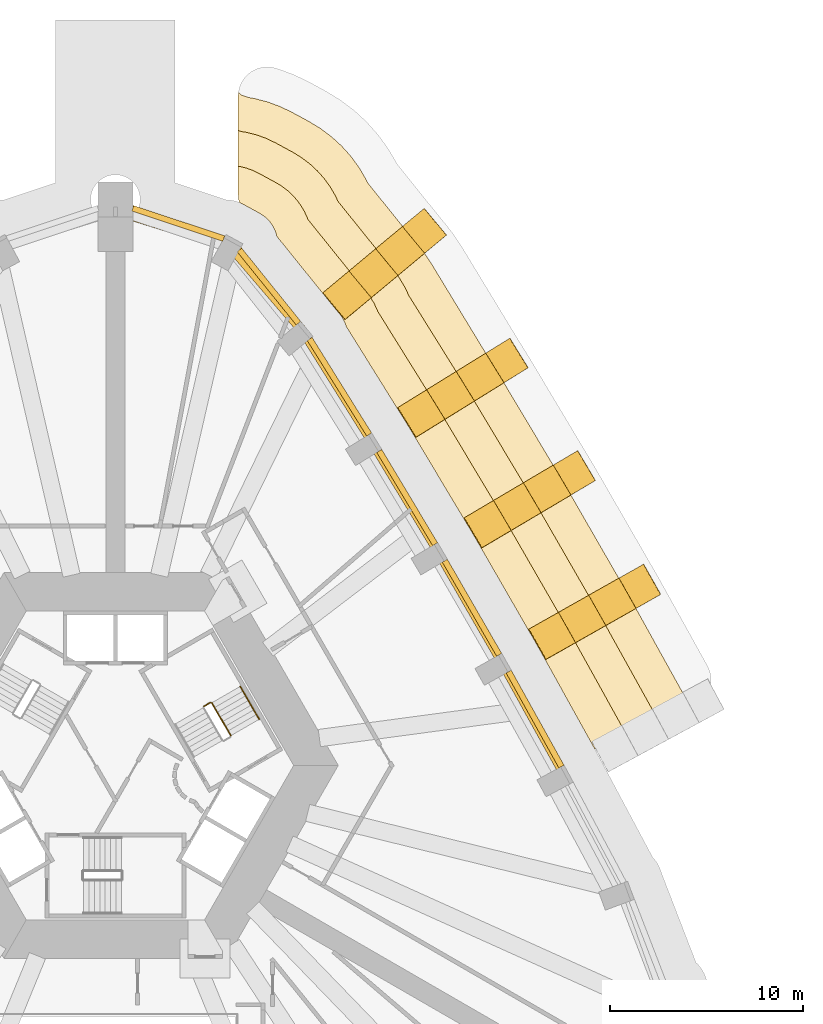
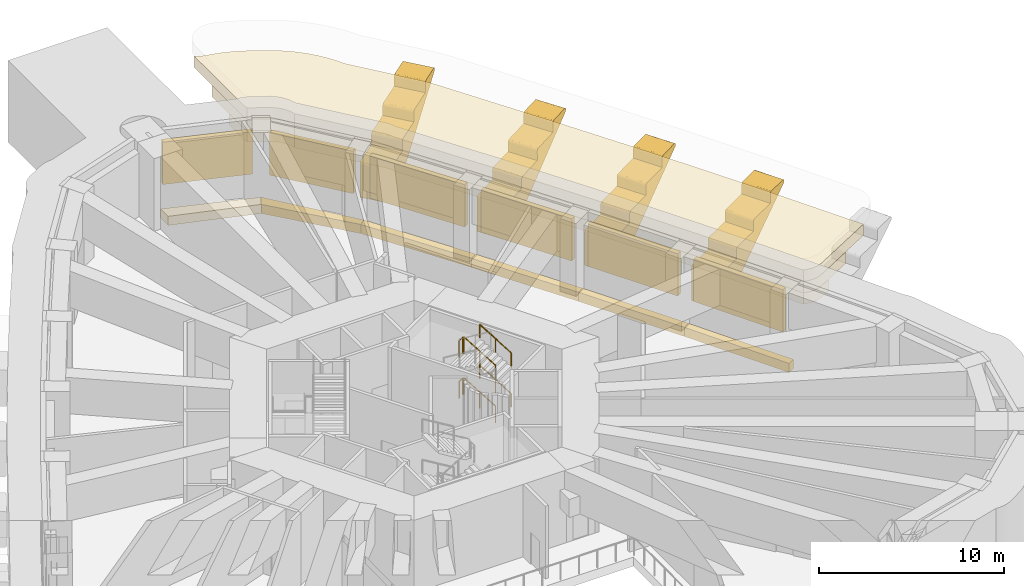
# One storey, part 15 of 16: 13 coverings, 6 railings, 6 shading devices.
"""IFC4 building model written with IfcOpenShell, lengths in metres."""

from ifc_helpers import new_model, si_unit, direction, frame, origin, origin_2d, place, context, subcontext, project, spatial, polyline, rectangle, circle, outline, extrude, material, layer, layer_set, type_object, element, save


model = new_model("IFC4")

# Units and contexts
model_context = context("Model", 3, precision=1e-05, world=origin(), true_north=direction((0.0, 1.0)))
body_context = subcontext(model_context, "Body", "Model", "MODEL_VIEW")
ifc_project = project(units=[si_unit("LENGTHUNIT", "METRE"), si_unit("AREAUNIT", "SQUARE_METRE"), si_unit("VOLUMEUNIT", "CUBIC_METRE"), si_unit("PLANEANGLEUNIT", "RADIAN"), si_unit("MASSUNIT", "GRAM", prefix="KILO")], contexts=[model_context])

# Site, building, storey
site_placement = place(None, origin())
site = spatial("IfcSite", under=ifc_project, at=site_placement, CompositionType="ELEMENT")
building_placement = place(site_placement, origin())
building = spatial("IfcBuilding", under=site, at=building_placement, Name="Entoto Arch Interchange Tower", CompositionType="ELEMENT")
storey_placement = place(building_placement, frame((0.0, 0.0, 281.0)))
storey = spatial("IfcBuildingStorey", under=building, at=storey_placement, Name="L65", CompositionType="ELEMENT", Elevation=281.0)

# Shading devices
ifc_material_1 = material(Name="Aluminium, anodised", Category="aluminium")
ifc_layer = layer(ifc_material_1, 0.300048828125)
ifc_layer_set = layer_set([ifc_layer], Name="Aluminium, anodised")
shading_device_type = type_object("IfcShadingDeviceType", Name="PLANT LOUVRE ALUMINIUM", PredefinedType="JALOUSIE", material=ifc_layer_set)
shading_device_1_placement = place(storey_placement, frame((21.743896484375, 4.902099609375, 1.2001953125), z_axis=(0.0, 0.0, 1.0), x_axis=(-0.485664228187, 0.874145444111, 0.0)))
element("IfcShadingDevice", 1, at=shading_device_1_placement, inside=storey, type_object=shading_device_type, Name="Plant louvre NE-02 L65", PredefinedType="JALOUSIE", context=body_context, shape_type="SweptSolid", body=[
    extrude(rectangle(XDim=5.62890625, YDim=0.300048828125, at=origin_2d()), origin(), (0.0, 0.0, 1.0), 2.800048828125),
])
shading_device_2_placement = place(storey_placement, frame((18.47705078125, 10.66796875, 1.2001953125), z_axis=(0.0, 0.0, 1.0), x_axis=(-0.499984884929, 0.866034130299, 0.0)))
element("IfcShadingDevice", 2, at=shading_device_2_placement, inside=storey, type_object=shading_device_type, Name="Plant louvre NE-03 L65", PredefinedType="JALOUSIE", context=body_context, shape_type="SweptSolid", body=[
    extrude(rectangle(XDim=5.6298828125, YDim=0.300048828125, at=origin_2d()), origin(), (0.0, 0.0, 1.0), 2.800048828125),
])
shading_device_3_placement = place(storey_placement, frame((15.116943359375, 16.3798828125, 1.2001953125), z_axis=(0.0, 0.0, 1.0), x_axis=(-0.514259922537, 0.857634381349, 0.0)))
element("IfcShadingDevice", 3, at=shading_device_3_placement, inside=storey, type_object=shading_device_type, Name="Plant louvre NE-04 L65", PredefinedType="JALOUSIE", context=body_context, shape_type="SweptSolid", body=[
    extrude(rectangle(XDim=5.62890625, YDim=0.300048828125, at=origin_2d()), origin(), (0.0, 0.0, 1.0), 2.800048828125),
])
shading_device_4_placement = place(storey_placement, frame((11.60693359375, 22.1220703125, 1.2001953125), z_axis=(0.0, 0.0, 1.0), x_axis=(-0.528719835335, 0.848796404165, 0.0)))
element("IfcShadingDevice", 4, at=shading_device_4_placement, inside=storey, type_object=shading_device_type, Name="Plant louvre NE-05 L65", PredefinedType="JALOUSIE", context=body_context, shape_type="SweptSolid", body=[
    extrude(rectangle(XDim=5.8330078125, YDim=0.300048828125, at=origin_2d()), origin(), (0.0, 0.0, 1.0), 2.800048828125),
])
shading_device_5_placement = place(storey_placement, frame((7.95703125, 27.31103515625, 1.2001953125), z_axis=(0.0, 0.0, 1.0), x_axis=(-0.627664187448, 0.778484211655, 0.0)))
element("IfcShadingDevice", 5, at=shading_device_5_placement, inside=storey, type_object=shading_device_type, Name="Plant louvre N-01 L65", PredefinedType="JALOUSIE", context=body_context, shape_type="SweptSolid", body=[
    extrude(rectangle(XDim=4.8740234375, YDim=0.300048828125, at=origin_2d()), origin(), (0.0, 0.0, 1.0), 2.800048828125),
])
shading_device_6_placement = place(storey_placement, frame((3.2548828125, 30.58203125, 1.2001953125), z_axis=(0.0, 0.0, 1.0), x_axis=(-0.948721643126, 0.316112707534, 0.0)))
element("IfcShadingDevice", 6, at=shading_device_6_placement, inside=storey, type_object=shading_device_type, Name="Plant louvre N-02 L65", PredefinedType="JALOUSIE", context=body_context, shape_type="SweptSolid", body=[
    extrude(rectangle(XDim=4.967041015625, YDim=0.300048828125, at=origin_2d()), origin(), (0.0, 0.0, 1.0), 2.800048828125),
])

# Coverings
ifc_material_2 = material(Name="Board-marked precast concrete C50/60", Category="concrete")
covering_type_1 = type_object("IfcCoveringType", Name="PRECAST FRAME COURSE", PredefinedType="CLADDING", material=ifc_material_2)
covering_1_placement = place(storey_placement, frame((0.0, 0.0, 3.300048828125)))
element("IfcCovering", 7, at=covering_1_placement, inside=storey, type_object=covering_type_1, Name="Cantilever cornice ne-L65 2", PredefinedType="CLADDING", context=body_context, shape_type="SweptSolid", body=[
    extrude(outline(polyline([(6.389892578125, 31.81201171875), (6.3701171875, 31.9541015625), (6.363037109375, 32.096923828125), (6.363037109375, 32.681884765625), (6.363037109375, 37.193115234375), (6.3701171875, 37.3369140625), (6.3779296875, 37.388916015625), (6.466064453125, 37.2919921875), (6.4970703125, 37.2490234375), (6.955078125, 37.096923828125), (7.18603515625, 37.06103515625), (7.8701171875, 36.883056640625), (8.533935546875, 36.639892578125), (9.169921875, 36.3330078125), (10.048095703125, 35.85498046875), (10.65087890625, 35.487060546875), (11.215087890625, 35.06103515625), (11.735107421875, 34.5830078125), (12.2060546875, 34.054931640625), (12.6220703125, 33.485107421875), (12.98095703125, 32.8759765625), (13.06591796875, 32.69091796875), (15.489990234375, 29.677001953125), (15.77392578125, 29.3359375), (16.097900390625, 28.9150390625), (16.388916015625, 28.471923828125), (19.386962890625, 23.533935546875), (19.403076171875, 23.510986328125), (19.927978515625, 22.659912109375), (19.98193359375, 22.571044921875), (22.85498046875, 17.76708984375), (22.89501953125, 17.7060546875), (23.404052734375, 16.844970703125), (23.443115234375, 16.778076171875), (26.22802734375, 11.944091796875), (26.2900390625, 11.844970703125), (26.781982421875, 10.97412109375), (26.806884765625, 10.928955078125), (29.501953125, 6.072021484375), (29.587890625, 5.928955078125), (29.824951171875, 5.489013671875), (26.052001953125, 3.4580078125), (25.927001953125, 3.39794921875), (25.797119140625, 3.35009765625), (25.662109375, 3.31298828125), (25.52490234375, 3.2900390625), (25.386962890625, 3.279052734375), (25.248046875, 3.281982421875), (25.10888671875, 3.297119140625), (24.972900390625, 3.324951171875), (24.840087890625, 3.364990234375), (24.8359375, 3.365966796875), (24.85009765625, 3.3369140625), (24.8330078125, 3.368896484375), (24.741943359375, 3.52099609375), (24.740966796875, 3.52099609375), (22.0849609375, 8.31005859375), (22.077880859375, 8.321044921875), (21.5869140625, 9.19189453125), (21.52197265625, 9.294921875), (18.763916015625, 14.08203125), (18.75390625, 14.09912109375), (18.24609375, 14.9599609375), (18.2041015625, 15.02294921875), (15.347900390625, 19.799072265625), (15.333984375, 19.822021484375), (14.80908203125, 20.672119140625), (14.785888671875, 20.705078125), (11.9609375, 25.240966796875), (11.9541015625, 25.26904296875), (11.89306640625, 25.43505859375), (11.81689453125, 25.593994140625), (11.72509765625, 25.7451171875), (11.618896484375, 25.885986328125), (11.30810546875, 26.260986328125), (8.361083984375, 29.9150390625), (8.3310546875, 30.041015625), (8.27197265625, 30.2080078125), (8.197998046875, 30.367919921875), (8.10888671875, 30.52001953125), (8.00390625, 30.6630859375), (7.886962890625, 30.794921875), (7.757080078125, 30.9140625), (7.615966796875, 31.02099609375), (7.465087890625, 31.113037109375), (6.5869140625, 31.591064453125), (6.427978515625, 31.66796875), (6.39306640625, 31.679931640625), (6.425048828125, 31.669921875), (6.424072265625, 31.673095703125), (6.389892578125, 31.81201171875)])), origin(), (0.0, 0.0, 1.0), 0.75),
])
covering_2_placement = place(storey_placement, frame((0.0, 0.0, 2.550048828125)))
element("IfcCovering", 8, at=covering_2_placement, inside=storey, type_object=covering_type_1, Name="Cantilever cornice ne-L65 3", PredefinedType="CLADDING", context=body_context, shape_type="SweptSolid", body=[
    extrude(outline(polyline([(6.389892578125, 31.81201171875), (6.3701171875, 31.9541015625), (6.363037109375, 32.096923828125), (6.363037109375, 32.681884765625), (6.363037109375, 35.39697265625), (6.51611328125, 35.345947265625), (6.821044921875, 35.298095703125), (7.333984375, 35.1650390625), (7.83203125, 34.98291015625), (8.30908203125, 34.751953125), (9.18701171875, 34.27392578125), (9.639892578125, 33.998046875), (10.06298828125, 33.678955078125), (10.451904296875, 33.320068359375), (10.804931640625, 32.925048828125), (11.117919921875, 32.49609375), (11.385986328125, 32.0400390625), (11.531005859375, 31.72802734375), (14.095947265625, 28.5380859375), (14.388916015625, 28.18603515625), (14.70703125, 27.761962890625), (14.98193359375, 27.30908203125), (15.2109375, 26.83203125), (17.84912109375, 22.596923828125), (17.87109375, 22.56494140625), (18.39697265625, 21.714111328125), (18.43701171875, 21.64697265625), (21.304931640625, 16.85205078125), (21.344970703125, 16.791015625), (21.85400390625, 15.929931640625), (21.883056640625, 15.87890625), (24.658935546875, 11.06103515625), (24.721923828125, 10.9609375), (25.214111328125, 10.090087890625), (25.23291015625, 10.055908203125), (27.9150390625, 5.221923828125), (28.0029296875, 5.075927734375), (28.239990234375, 4.635009765625), (26.052001953125, 3.4580078125), (25.927001953125, 3.39794921875), (25.797119140625, 3.35009765625), (25.662109375, 3.31298828125), (25.52490234375, 3.2900390625), (25.386962890625, 3.279052734375), (25.248046875, 3.281982421875), (25.10888671875, 3.297119140625), (24.972900390625, 3.324951171875), (24.840087890625, 3.364990234375), (24.8359375, 3.365966796875), (24.85009765625, 3.3369140625), (24.8330078125, 3.368896484375), (24.741943359375, 3.52099609375), (24.740966796875, 3.52099609375), (22.0849609375, 8.31005859375), (22.077880859375, 8.321044921875), (21.5869140625, 9.19189453125), (21.52197265625, 9.294921875), (18.763916015625, 14.08203125), (18.75390625, 14.09912109375), (18.24609375, 14.9599609375), (18.2041015625, 15.02294921875), (15.347900390625, 19.799072265625), (15.333984375, 19.822021484375), (14.80908203125, 20.672119140625), (14.785888671875, 20.705078125), (11.9609375, 25.240966796875), (11.9541015625, 25.26904296875), (11.89306640625, 25.43505859375), (11.81689453125, 25.593994140625), (11.72509765625, 25.7451171875), (11.618896484375, 25.885986328125), (11.30810546875, 26.260986328125), (8.361083984375, 29.9150390625), (8.3310546875, 30.041015625), (8.27197265625, 30.2080078125), (8.197998046875, 30.367919921875), (8.10888671875, 30.52001953125), (8.00390625, 30.6630859375), (7.886962890625, 30.794921875), (7.757080078125, 30.9140625), (7.615966796875, 31.02099609375), (7.465087890625, 31.113037109375), (6.5869140625, 31.591064453125), (6.427978515625, 31.66796875), (6.39306640625, 31.679931640625), (6.425048828125, 31.669921875), (6.424072265625, 31.673095703125), (6.389892578125, 31.81201171875)])), origin(), (0.0, 0.0, 1.0), 0.75),
])
covering_3_placement = place(storey_placement, frame((0.0, 0.0, 1.800048828125)))
element("IfcCovering", 9, at=covering_3_placement, inside=storey, type_object=covering_type_1, Name="Cantilever cornice ne-L65 4", PredefinedType="CLADDING", context=body_context, shape_type="SweptSolid", body=[
    extrude(outline(polyline([(6.389892578125, 31.81201171875), (6.3701171875, 31.9541015625), (6.363037109375, 32.096923828125), (6.363037109375, 32.681884765625), (6.363037109375, 33.550048828125), (6.4560546875, 33.534912109375), (6.798095703125, 33.447021484375), (7.1298828125, 33.324951171875), (7.447998046875, 33.172119140625), (8.325927734375, 32.693115234375), (8.6279296875, 32.509033203125), (8.909912109375, 32.297119140625), (9.169921875, 32.056884765625), (9.405029296875, 31.7939453125), (9.613037109375, 31.508056640625), (9.7919921875, 31.2041015625), (9.94091796875, 30.883056640625), (9.971923828125, 30.7939453125), (12.702880859375, 27.39892578125), (13.00390625, 27.035888671875), (13.216064453125, 26.75390625), (13.39892578125, 26.451904296875), (13.552001953125, 26.133056640625), (13.590087890625, 26.030029296875), (16.31689453125, 21.65087890625), (16.340087890625, 21.617919921875), (16.864990234375, 20.76806640625), (16.89208984375, 20.722900390625), (19.75390625, 15.93798828125), (19.794921875, 15.875), (20.303955078125, 15.013916015625), (20.323974609375, 14.98095703125), (23.091064453125, 10.177978515625), (23.155029296875, 10.075927734375), (23.64599609375, 9.205078125), (23.658935546875, 9.18310546875), (26.327880859375, 4.3720703125), (26.41796875, 4.222900390625), (26.655029296875, 3.781982421875), (26.052001953125, 3.4580078125), (25.927001953125, 3.39794921875), (25.797119140625, 3.35009765625), (25.662109375, 3.31298828125), (25.52490234375, 3.2900390625), (25.386962890625, 3.279052734375), (25.248046875, 3.281982421875), (25.10888671875, 3.297119140625), (24.972900390625, 3.324951171875), (24.840087890625, 3.364990234375), (24.8359375, 3.365966796875), (24.85009765625, 3.3369140625), (24.8330078125, 3.368896484375), (24.741943359375, 3.52099609375), (24.740966796875, 3.52099609375), (22.0849609375, 8.31005859375), (22.077880859375, 8.321044921875), (21.5869140625, 9.19189453125), (21.52197265625, 9.294921875), (18.763916015625, 14.08203125), (18.75390625, 14.09912109375), (18.24609375, 14.9599609375), (18.2041015625, 15.02294921875), (15.347900390625, 19.799072265625), (15.333984375, 19.822021484375), (14.80908203125, 20.672119140625), (14.785888671875, 20.705078125), (11.9609375, 25.240966796875), (11.9541015625, 25.26904296875), (11.89306640625, 25.43505859375), (11.81689453125, 25.593994140625), (11.72509765625, 25.7451171875), (11.618896484375, 25.885986328125), (11.30810546875, 26.260986328125), (8.361083984375, 29.9150390625), (8.3310546875, 30.041015625), (8.27197265625, 30.2080078125), (8.197998046875, 30.367919921875), (8.10888671875, 30.52001953125), (8.00390625, 30.6630859375), (7.886962890625, 30.794921875), (7.757080078125, 30.9140625), (7.615966796875, 31.02099609375), (7.465087890625, 31.113037109375), (6.5869140625, 31.591064453125), (6.427978515625, 31.66796875), (6.39306640625, 31.679931640625), (6.425048828125, 31.669921875), (6.424072265625, 31.673095703125), (6.389892578125, 31.81201171875)])), origin(), (0.0, 0.0, 1.0), 0.75),
])
covering_4_placement = place(storey_placement, frame((22.861083984375, 8.302978515625, -0.572021484375), z_axis=(0.491371631658, -0.870944882315, 0.002988573292), x_axis=(-0.753018603775, -0.426558891483, -0.501009475424)))
element("IfcCovering", 10, at=covering_4_placement, inside=storey, type_object=covering_type_1, Name="Fold rib NE03 L65", PredefinedType="CLADDING", context=body_context, shape_type="SweptSolid", body=[
    extrude(outline(polyline([(0.0, 0.0), (0.03167042942503484, 1.734723475976807e-18), (0.07516520962234426, -0.012201132404518505), (0.4527389679008961, -0.2307832124153249), (0.48444025826838516, -0.2607008380208901), (0.500330355688468, -0.28626192217106056), (0.5103672008885299, -0.31407654915382716), (0.5158603731594278, -0.3575971338433004), (0.5075856085305542, -0.4013284115397575), (0.4949172141996582, -0.4275646656877241), (-0.5570059920279637, -2.244945869487132), (-0.5845925614328736, -2.28003978280369), (-0.6076677525659595, -2.2977098800263978), (-0.6336927627957298, -2.3105721319925374), (-0.6772617808126806, -2.3197640711585326), (-0.7208960957808166, -2.316510069272343), (-0.7615895048975432, -2.3000032556506813), (-2.1638004606954184, -1.4882500575504674), (-2.4727495182456023, -2.020008709738497), (-2.4922317463581, -2.0423005198861017), (-2.52808346730352, -2.0664020563146526), (-2.570245985947052, -2.08035785690839), (-2.6145812976764846, -2.081209604272487), (-2.642858292346597, -2.074150612727387), (-2.6697493915946, -2.061966224920437), (-4.097800206860409, -1.2352549658634822), (-4.406013894680344, -1.7674409876229211), (-4.4254961227928415, -1.7897327977705257), (-4.461666652051047, -1.8136451788777923), (-4.503510362381794, -1.8277901347928136), (-4.5477170954806905, -1.8287137004516518), (-4.576441477094125, -1.821393735290527), (-4.602597206611877, -1.809636717054986), (-6.0306480218776874, -0.9829254579980309), (-6.339597079427872, -1.514684110186061), (-6.359367290327297, -1.536809524378282), (-6.3945144670683245, -1.5613156710123413), (-6.437277389561883, -1.5749264149631013), (-6.481716841645682, -1.5757186087646669), (-6.5092892921114025, -1.5690642274250761), (-6.536780795209431, -1.5565347829751484), (-7.556307617392553, -0.9663219978860123), (-7.590885188186229, -0.9392507721824082), (-7.608181561137744, -0.9165432775663951), (-7.626270359051379, -0.8761707764331326), (-7.631248643730546, -0.8478997549437333), (-7.630820328567271, -0.8179617665163326), (-7.623855716992787, -0.7895527787721188), (-7.612534276224444, -0.7639455962609376), (-7.596091280137624, -0.7398952488988559), (-7.574923035426078, -0.7197079410661331), (-7.551185180211123, -0.703548580631514), (-7.523700610503132, -0.6929425656593646), (-7.495317719465405, -0.68736885737506), (0.0, 0.0)])), origin(), (0.0, 0.0, -1.0), 1.800048828125),
])
covering_5_placement = place(storey_placement, frame((19.537109375, 14.096923828125, -0.572021484375), z_axis=(0.50852670708, -0.861040992525, 0.002999562969), x_axis=(-0.741877586182, -0.439912295047, -0.506058118982)))
element("IfcCovering", 11, at=covering_5_placement, inside=storey, type_object=covering_type_1, Name="Fold rib NE04 L65", PredefinedType="CLADDING", context=body_context, shape_type="SweptSolid", body=[
    extrude(outline(polyline([(0.0, 0.0), (0.03135916729462318, 0.0), (0.07593655142803774, -0.013134372154589385), (0.45133806495155177, -0.23339828828064896), (0.4835765974394878, -0.2639184616252604), (0.4984039811047336, -0.28903589948543806), (0.5088817963497431, -0.3172619695722371), (0.5132074856513406, -0.3602778458931251), (0.5046711019010991, -0.40395739318792356), (0.49318252544158503, -0.430900627532961), (-0.5698695364271931, -2.241797631872295), (-0.5974317455778853, -2.276860306888512), (-0.6210258054418092, -2.294153324044211), (-0.6471253859906748, -2.3068622577231372), (-0.6905455211420453, -2.315920972778628), (-0.7341652296268376, -2.3124063186326436), (-0.7749939858248165, -2.2955259315652414), (-2.17240426981522, -1.4756124345497106), (-2.4837597848865824, -2.0059664565726987), (-2.503554534156426, -2.0280360848593983), (-2.539375258794347, -2.052027305920334), (-2.582216901420309, -2.0653859035478455), (-2.6259348179212334, -2.066343132288011), (-2.655037865214885, -2.058608834779449), (-2.6812978968609213, -2.0465950063306417), (-4.10384150020763, -1.211936121432919), (-4.416351106959879, -1.741614191219602), (-4.435535131921528, -1.7640396621261458), (-4.471536979017012, -1.7879241799815955), (-4.514378621642974, -1.8012827776091065), (-4.55852613999453, -1.8019908669349143), (-4.586475095607295, -1.794932521662657), (-4.613091007109056, -1.7827139721513894), (-6.0364328222809265, -0.9475838560798224), (-6.348512827182544, -1.4775110652808627), (-6.368233854457483, -1.4996251119194604), (-6.404128301090308, -1.5235719146284992), (-6.446064331428451, -1.537464028283444), (-6.490506737759632, -1.537994444201662), (-6.518636815829961, -1.5308293957239183), (-6.545252727331722, -1.5186108462126509), (-7.562061720175217, -0.922011735735063), (-7.595740039877138, -0.8951721044862966), (-7.61343505717684, -0.8720538377713924), (-7.626243503743016, -0.8461383630978134), (-7.635990070669919, -0.8033370918258593), (-7.6347599045439765, -0.7737713985288455), (-7.6279522903391985, -0.7452157741099223), (-7.616470736298763, -0.7196812317059469), (-7.599889782678512, -0.6957261829192043), (-7.5794351391096, -0.6751747863257838), (-7.554349294653694, -0.6598890985388999), (-7.527532246693651, -0.6490156696229841), (-7.499115947696161, -0.6436101854459824), (0.0, 0.0)])), origin(), (0.0, 0.0, -1.0), 1.800048828125),
])
covering_6_placement = place(storey_placement, frame((16.10498046875, 19.827880859375, -0.572021484375), z_axis=(0.525575448879, -0.850742133482, 0.002875735526), x_axis=(-0.75748855018, -0.469498213861, -0.453632586493)))
element("IfcCovering", 12, at=covering_6_placement, inside=storey, type_object=covering_type_1, Name="Fold rib NE05 L65", PredefinedType="CLADDING", context=body_context, shape_type="SweptSolid", body=[
    extrude(outline(polyline([(0.0, 0.0), (0.04628615829139471, 0.0), (0.08958068558501649, -0.014092281300730255), (0.4400520682375914, -0.19249243423674234), (0.4637278605566106, -0.2081049646085091), (0.4946584164399074, -0.2405611276996319), (0.5144956394864132, -0.27996986181326083), (0.5213774546676369, -0.3226492442856297), (0.5159124960104433, -0.36698643623020466), (0.5046711931452619, -0.39386487136774984), (-0.4470393867742224, -2.265674888089785), (-0.4731986125285943, -2.3019423081735217), (-0.49497464231461297, -2.320992929580995), (-0.5207212017227897, -2.3350094607843), (-0.563523749035547, -2.3466430331042005), (-0.6077256769196895, -2.3455113397459484), (-0.6493789743788059, -2.331157662117987), (-2.092722761178732, -1.5964630067695833), (-2.3726193605651287, -2.144071156169219), (-2.3905915446513863, -2.1675268900269344), (-2.4251060105528826, -2.1935162287906627), (-2.466137932706382, -2.209886389327818), (-2.510799010032386, -2.212902460533166), (-2.5391291313411513, -2.207524318603075), (-2.566313412152124, -2.196972946914307), (-4.03701026462198, -1.448354902904336), (-4.316906864008376, -1.995963052303972), (-4.335618783006918, -2.019040588400806), (-4.369393513996131, -2.045408124925416), (-4.411165171061914, -2.061400087701689), (-4.455086513475634, -2.0647943566679188), (-4.4841563696966835, -2.0590380169769458), (-4.510600915595372, -2.04886484304906), (-5.981297768065228, -1.3002467990390887), (-6.261194367451624, -1.8478549484387252), (-6.279906286450166, -1.870932484535559), (-6.3139622580021895, -1.897152526242194), (-6.3554526745051625, -1.9132919838364417), (-6.399374016918882, -1.9166862528026716), (-6.42825893941186, -1.9110244625519197), (-6.455628153950904, -1.9003785414229308), (-7.505281591521249, -1.3660819729546327), (-7.540657646908743, -1.341227780199791), (-7.559591205384027, -1.3192617742836465), (-7.579080684224246, -1.2803013173706805), (-7.585833430744168, -1.2522092153935738), (-7.586827496481829, -1.2223925479639712), (-7.582028020439595, -1.1933285650232124), (-7.572095696979359, -1.166058803439633), (-7.556519971416618, -1.1413852681743384), (-7.536586649438181, -1.1200289740705105), (-7.513201032463498, -1.1028934238944568), (-7.486971754519433, -1.0915914565327118), (-7.459031591692548, -1.0844434340547378), (0.0, 0.0)])), origin(), (0.0, 0.0, -1.0), 1.800048828125),
])
covering_7_placement = place(storey_placement, frame((12.35400390625, 25.97705078125, -0.572998046875), z_axis=(0.638922187608, -0.769265782075, 0.002931673792), x_axis=(-0.688925308228, -0.573881901386, -0.442765720155)))
element("IfcCovering", 13, at=covering_7_placement, inside=storey, type_object=covering_type_1, Name="Fold rib NE06 L65", PredefinedType="CLADDING", context=body_context, shape_type="SweptSolid", body=[
    extrude(outline(polyline([(0.0, 0.0), (0.04521622720849222, 6.938893903907228e-18), (0.07521779895921706, -0.00800555596342015), (0.40935175152299547, -0.1719190984639586), (0.4340124233214863, -0.1876344679968707), (0.46500397544606203, -0.2195463562842144), (0.48471690227258996, -0.2584165019341502), (0.4935313094069782, -0.30170660243612396), (0.48755125165636337, -0.34558725276156466), (0.4772942250157001, -0.37292256204500973), (-0.45270008017264063, -2.255616600744638), (-0.47787127449266253, -2.292469818894834), (-0.4993755077760562, -2.3118030194820416), (-0.5252962922472018, -2.3259597876309783), (-0.5678574661059927, -2.338161575863208), (-0.6112679868641765, -2.337963085462275), (-0.6534618783453698, -2.3239341587894686), (-2.1056765335853713, -1.6068170807254774), (-2.378561319950179, -2.157954451979365), (-2.397198688747401, -2.181152029309851), (-2.43083850936302, -2.207834508491542), (-2.472278427630265, -2.2244016344486495), (-2.516185291817166, -2.2283141697062305), (-2.5445852200337913, -2.2232769587362804), (-2.5726210979447792, -2.2126999353550034), (-4.051182229011008, -1.482569704771509), (-4.324599686111051, -2.033441383966843), (-4.342704384173038, -2.0569046533558826), (-4.376344204788657, -2.0835871325375734), (-4.4177841230559025, -2.100154258494681), (-4.461690987242803, -2.1040667937522617), (-4.490763694080744, -2.0986953181802406), (-4.517986685484336, -2.0885211319445527), (-5.997921134602283, -1.3577137740413985), (-6.27066581308101, -1.908919717838804), (-6.2884622086015876, -1.9325351259218793), (-6.322943002493851, -1.958799774350981), (-6.364382920761097, -1.9753669003080878), (-6.408289784947998, -1.9792794355656689), (-6.436689713164623, -1.9742422245957192), (-6.464725591075611, -1.9636652012144427), (-7.51852225734315, -1.4432906019864915), (-7.543403373318282, -1.4277341624557263), (-7.5739063302344025, -1.3968818246044168), (-7.593727354160578, -1.3582305833846293), (-7.600723397973194, -1.3289085001630716), (-7.602450245083967, -1.3002825874044923), (-7.597026102729375, -1.271647973304142), (-7.587409843923594, -1.2442658763922911), (-7.572640300278617, -1.2191590685828615), (-7.553202109714346, -1.1974456637491109), (-7.529663844498263, -1.1802051904347808), (-7.50350266980439, -1.1672583046085077), (-7.474718878321519, -1.1605037917214371), (0.0, 0.0)])), origin(), (0.0, 0.0, -1.0), 1.800048828125),
])
covering_type_2 = type_object("IfcCoveringType", Name="PRECAST LEDGE COURSE", PredefinedType="CLADDING", material=ifc_material_2)
covering_8_placement = place(storey_placement, frame((0.0, 0.0, -1.199951171875)))
element("IfcCovering", 14, at=covering_8_placement, inside=storey, type_object=covering_type_2, Name="Precast course NE-02 L65", PredefinedType="CLADDING", context=body_context, shape_type="SweptSolid", body=[
    extrude(outline(polyline([(19.873046875, 7.64990234375), (20.264892578125, 7.8720703125), (23.485107421875, 2.075927734375), (23.083984375, 1.860107421875), (19.873046875, 7.64990234375)])), origin(), (0.0, 0.0, 1.0), 0.599853515625),
])
covering_9_placement = place(storey_placement, frame((0.0, 0.0, -1.199951171875)))
element("IfcCovering", 15, at=covering_9_placement, inside=storey, type_object=covering_type_2, Name="Precast course NE-03 L65", PredefinedType="CLADDING", context=body_context, shape_type="SweptSolid", body=[
    extrude(outline(polyline([(16.56201171875, 13.385009765625), (16.949951171875, 13.614013671875), (20.264892578125, 7.8720703125), (19.873046875, 7.64990234375), (16.56201171875, 13.385009765625)])), origin(), (0.0, 0.0, 1.0), 0.599853515625),
])
covering_10_placement = place(storey_placement, frame((0.0, 0.0, -1.199951171875)))
element("IfcCovering", 16, at=covering_10_placement, inside=storey, type_object=covering_type_2, Name="Precast course NE-04 L65", PredefinedType="CLADDING", context=body_context, shape_type="SweptSolid", body=[
    extrude(outline(polyline([(13.153076171875, 19.06103515625), (13.5400390625, 19.301025390625), (16.949951171875, 13.614013671875), (16.56201171875, 13.385009765625), (13.153076171875, 19.06103515625)])), origin(), (0.0, 0.0, 1.0), 0.599853515625),
])
covering_11_placement = place(storey_placement, frame((0.0, 0.0, -1.199951171875)))
element("IfcCovering", 17, at=covering_11_placement, inside=storey, type_object=covering_type_2, Name="Precast course NE-05 L65", PredefinedType="CLADDING", context=body_context, shape_type="SweptSolid", body=[
    extrude(outline(polyline([(9.553955078125, 24.821044921875), (9.9150390625, 25.12109375), (13.5400390625, 19.301025390625), (13.153076171875, 19.06103515625), (9.553955078125, 24.821044921875)])), origin(), (0.0, 0.0, 1.0), 0.599853515625),
])
covering_12_placement = place(storey_placement, frame((0.0, 0.0, -1.199951171875)))
element("IfcCovering", 18, at=covering_12_placement, inside=storey, type_object=covering_type_2, Name="Precast course N-01 L65", PredefinedType="CLADDING", context=body_context, shape_type="SweptSolid", body=[
    extrude(outline(polyline([(5.833984375, 29.1640625), (6.1650390625, 29.77099609375), (9.9150390625, 25.12109375), (9.553955078125, 24.821044921875), (5.833984375, 29.1640625)])), origin(), (0.0, 0.0, 1.0), 0.599853515625),
])
covering_13_placement = place(storey_placement, frame((0.0, 0.0, -1.199951171875)))
element("IfcCovering", 19, at=covering_13_placement, inside=storey, type_object=covering_type_2, Name="Precast course N-02 L65", PredefinedType="CLADDING", context=body_context, shape_type="SweptSolid", body=[
    extrude(outline(polyline([(0.89990234375, 30.70703125), (0.89990234375, 31.52392578125), (6.1650390625, 29.77099609375), (5.833984375, 29.1640625), (0.89990234375, 30.70703125)])), origin(), (0.0, 0.0, 1.0), 0.599853515625),
])

# Railings
ifc_material_3 = material(Name="Stainless steel 1.4301", Category="steel")
railing_type_1 = type_object("IfcRailingType", Name="STAIR GUARD 1100 STEEL", PredefinedType="GUARDRAIL", material=ifc_material_3)
railing_1_placement = place(storey_placement, frame((5.977783203125, 4.046142578125, 0.168701171875)))
element("IfcRailing", 20, at=railing_1_placement, inside=storey, type_object=railing_type_1, Name="L65 ST-NE stair guard 1", PredefinedType="GUARDRAIL", context=body_context, shape_type="SweptSolid", body=[
    extrude(circle(Radius=0.02392578125, at=origin_2d()), frame((0.0, 0.0, 1.076171875), z_axis=(-0.428238462606, 0.741682559053, 0.516254589076), x_axis=(-0.866011328839, -0.500024377727, 0.0)), (0.0, 0.0, 1.0), 2.288330078125),
    extrude(circle(Radius=0.02099609375, at=origin_2d()), origin(), (0.0, 0.0, 1.0), 1.052001953125),
    extrude(circle(Radius=0.02099609375, at=origin_2d()), frame((-0.489990234375, 0.8486328125, 0.5908203125)), (0.0, 0.0, 1.0), 1.052001953125),
    extrude(circle(Radius=0.02099609375, at=origin_2d()), frame((-0.97998046875, 1.697265625, 1.181396484375)), (0.0, 0.0, 1.0), 1.052001953125),
])
railing_2_placement = place(storey_placement, frame((4.929443359375, 5.76171875, 1.35009765625)))
element("IfcRailing", 21, at=railing_2_placement, inside=storey, type_object=railing_type_1, Name="L65 ST-NE stair guard 2", PredefinedType="GUARDRAIL", context=body_context, shape_type="SweptSolid", body=[
    extrude(circle(Radius=0.02392578125, at=origin_2d()), frame((0.0, 0.0, 1.076171875), z_axis=(-0.865941482684, -0.500145327446, 0.0), x_axis=(0.500145327446, -0.865941482684, 0.0)), (0.0, 0.0, 1.0), 0.39990234375),
    extrude(circle(Radius=0.02099609375, at=origin_2d()), origin(), (0.0, 0.0, 1.0), 1.052001953125),
    extrude(circle(Radius=0.02099609375, at=origin_2d()), frame((-0.34619140625, -0.199951171875, 0.0)), (0.0, 0.0, 1.0), 1.052001953125),
])
railing_3_placement = place(storey_placement, frame((5.977783203125, 4.046142578125, 2.86865234375)))
element("IfcRailing", 22, at=railing_3_placement, inside=storey, type_object=railing_type_1, Name="L65 ST-NE stair guard 5", PredefinedType="GUARDRAIL", context=body_context, shape_type="SweptSolid", body=[
    extrude(circle(Radius=0.02392578125, at=origin_2d()), frame((0.0, 0.0, 1.076171875), z_axis=(-0.428238462606, 0.741682559053, 0.516254589076), x_axis=(-0.866011328839, -0.500024377727, 0.0)), (0.0, 0.0, 1.0), 2.288330078125),
    extrude(circle(Radius=0.02099609375, at=origin_2d()), origin(), (0.0, 0.0, 1.0), 1.052001953125),
    extrude(circle(Radius=0.02099609375, at=origin_2d()), frame((-0.489990234375, 0.8486328125, 0.5908203125)), (0.0, 0.0, 1.0), 1.052001953125),
    extrude(circle(Radius=0.02099609375, at=origin_2d()), frame((-0.97998046875, 1.697265625, 1.181396484375)), (0.0, 0.0, 1.0), 1.052001953125),
])
railing_4_placement = place(storey_placement, frame((4.929443359375, 5.76171875, 4.050048828125)))
element("IfcRailing", 23, at=railing_4_placement, inside=storey, type_object=railing_type_1, Name="L65 ST-NE stair guard 6", PredefinedType="GUARDRAIL", context=body_context, shape_type="SweptSolid", body=[
    extrude(circle(Radius=0.02392578125, at=origin_2d()), frame((0.0, 0.0, 1.076171875), z_axis=(-0.865941482684, -0.500145327446, 0.0), x_axis=(0.500145327446, -0.865941482684, 0.0)), (0.0, 0.0, 1.0), 0.39990234375),
    extrude(circle(Radius=0.02099609375, at=origin_2d()), origin(), (0.0, 0.0, 1.0), 1.052001953125),
    extrude(circle(Radius=0.02099609375, at=origin_2d()), frame((-0.34619140625, -0.199951171875, 0.0)), (0.0, 0.0, 1.0), 1.052001953125),
])
railing_type_2 = type_object("IfcRailingType", Name="STAIR HANDRAIL 900 STEEL", PredefinedType="HANDRAIL", material=ifc_material_3)
for number, where, name in (
    (24, (7.4501953125, 4.89599609375, 0.168701171875), "L65 ST-NE stair handrail 1"),
    (25, (7.4501953125, 4.89599609375, 2.86865234375), "L65 ST-NE stair handrail 3"),
):
    element("IfcRailing", number, at=place(storey_placement, frame(where)), inside=storey, type_object=railing_type_2, Name=name, PredefinedType="HANDRAIL", context=body_context, shape_type="SweptSolid", body=[
        extrude(circle(Radius=0.02392578125, at=origin_2d()), frame((0.0, 0.0, 0.8759765625), z_axis=(-0.428204578836, 0.741730552229, 0.516213741153), x_axis=(-0.866042469362, -0.499970440388, 0.0)), (0.0, 0.0, 1.0), 2.28857421875),
        extrude(circle(Radius=0.02099609375, at=origin_2d()), origin(), (0.0, 0.0, 1.0), 0.851806640625),
        extrude(circle(Radius=0.02099609375, at=origin_2d()), frame((-0.489990234375, 0.8486328125, 0.5908203125)), (0.0, 0.0, 1.0), 0.851806640625),
        extrude(circle(Radius=0.02099609375, at=origin_2d()), frame((-0.97998046875, 1.697509765625, 1.181396484375)), (0.0, 0.0, 1.0), 0.851806640625),
    ])

save(model, "model.ifc")
